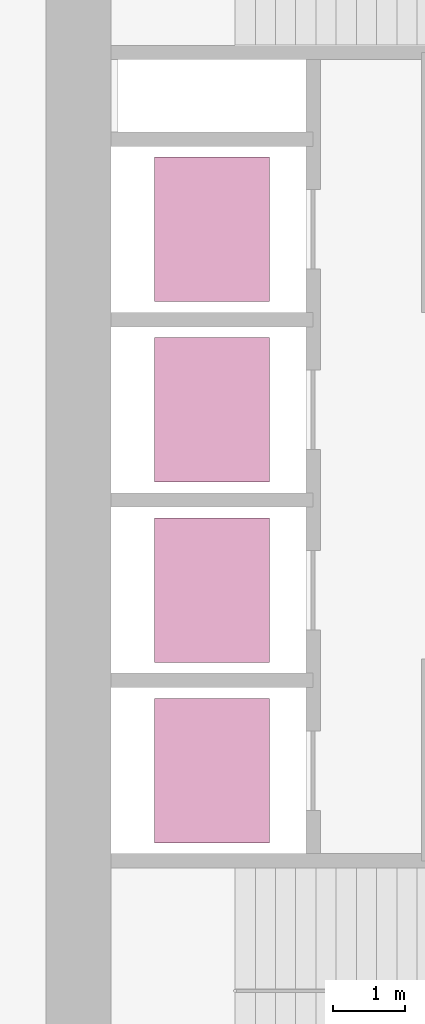
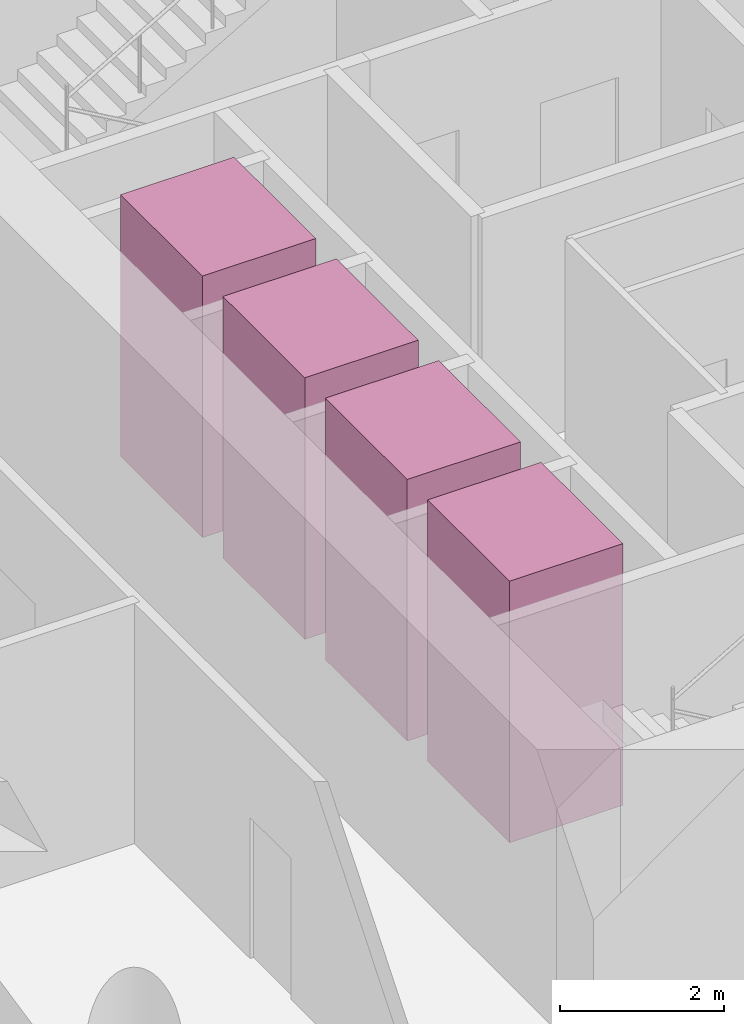
# One storey, part 10 of 10: 4 transport elements.
"""IFC4 building model written with IfcOpenShell, lengths in metres."""

import ifcopenshell
import ifcopenshell.guid

model = None  # the IFC model being written
_history = None  # IfcOwnerHistory: only IFC2X3 demands one
_inside = {}  # id of a spatial element -> (the spatial element, [elements in it])
_under = {}  # id of a project, library or spatial element -> (it, [spatial elements below it])
_declared = {}  # id of a project -> (the project, [libraries it declares])
_typed = {}  # id of a type object -> (the type object, [elements of that type])
_made_of = {}  # id of a material, layer set ... -> (it, [elements and type objects made of it])


def new_model(schema):
    """Start an empty IFC model of exactly this schema.

    Asked for "IFC4X3", IfcOpenShell would pick the latest addendum, in which some entities
    have other attributes; the version numbers below select the first issue.
    IFC2X3 requires an IfcOwnerHistory on every rooted entity: one is made here for all.
    """
    global model, _history
    if schema == "IFC4X3":
        model = ifcopenshell.file(schema_version=(4, 3, 0, 0))
    else:
        model = ifcopenshell.file(schema=schema)
    _inside.clear()
    _under.clear()
    _declared.clear()
    _typed.clear()
    _made_of.clear()
    _history = None
    if model.schema == "IFC2X3":
        org = make("IfcOrganization", Name="unknown")
        user = make(
            "IfcPersonAndOrganization",
            ThePerson=make("IfcPerson", FamilyName="unknown"),
            TheOrganization=org,
        )
        app = make(
            "IfcApplication",
            ApplicationDeveloper=org,
            Version="unknown",
            ApplicationFullName="unknown",
            ApplicationIdentifier="unknown",
        )
        _history = make(
            "IfcOwnerHistory",
            OwningUser=user,
            OwningApplication=app,
            ChangeAction="ADDED",
            CreationDate=0,
        )
    return model


def make(cls, **values):
    """One entity of the class cls with the attributes given. An attribute that is None is left unset."""
    return model.create_entity(
        cls, **{name: value for name, value in values.items() if value is not None}
    )


def rooted(cls, **values):
    """An entity with a GlobalId (a new one), such as an element, a storey or a relation."""
    return make(cls, GlobalId=ifcopenshell.guid.new(), OwnerHistory=_history, **values)


def si_unit(unit_type, name, prefix=None):
    """IfcSIUnit, for example si_unit("LENGTHUNIT", "METRE", prefix="MILLI")."""
    return make("IfcSIUnit", UnitType=unit_type, Prefix=prefix, Name=name)


def assignment(units):
    """IfcUnitAssignment: the units of a project."""
    return None if units is None else make("IfcUnitAssignment", Units=units)


def point(xyz):
    """IfcCartesianPoint."""
    return None if xyz is None else make("IfcCartesianPoint", Coordinates=xyz)


def direction(xyz):
    """IfcDirection."""
    return None if xyz is None else make("IfcDirection", DirectionRatios=xyz)


def frame(location, z_axis=None, x_axis=None):
    """IfcAxis2Placement3D, a coordinate frame: its origin and axes. An axis left out is left unset."""
    return make(
        "IfcAxis2Placement3D",
        Location=point(location),
        Axis=direction(z_axis),
        RefDirection=direction(x_axis),
    )


def frame_2d(location, x_axis=None):
    """IfcAxis2Placement2D, a coordinate frame in the plane: its origin and x axis."""
    return make(
        "IfcAxis2Placement2D", Location=point(location), RefDirection=direction(x_axis)
    )


def origin():
    """The frame at (0, 0, 0) with its axes left unset."""
    return frame((0.0, 0.0, 0.0))


def origin_2d():
    """The frame at (0, 0) in the plane with its x axis left unset."""
    return frame_2d((0.0, 0.0))


def place(relative_to, where):
    """IfcLocalPlacement: puts the frame where relative to a parent placement (None: the world)."""
    return make(
        "IfcLocalPlacement", PlacementRelTo=relative_to, RelativePlacement=where
    )


def context(
    kind, dimensions, precision=None, world=None, true_north=None, identifier=None
):
    """IfcGeometricRepresentationContext, for example the 3D "Model" context."""
    return make(
        "IfcGeometricRepresentationContext",
        ContextIdentifier=identifier,
        ContextType=kind,
        CoordinateSpaceDimension=dimensions,
        Precision=precision,
        WorldCoordinateSystem=world,
        TrueNorth=true_north,
    )


def subcontext(parent, identifier, kind, view, scale=None):
    """IfcGeometricRepresentationSubContext, for example "Body" below "Model"."""
    return make(
        "IfcGeometricRepresentationSubContext",
        ContextIdentifier=identifier,
        ContextType=kind,
        ParentContext=parent,
        TargetScale=scale,
        TargetView=view,
    )


def project(units=None, contexts=None):
    """IfcProject with its units and contexts."""
    return rooted(
        "IfcProject",
        Name="project",
        RepresentationContexts=contexts,
        UnitsInContext=assignment(units),
    )


def spatial(cls, under=None, at=None, **own):
    """A site, building, storey or space (cls), placed at a placement, below another one or the project."""
    s = rooted(cls, ObjectPlacement=at, **own)
    if under is not None:
        _under.setdefault(under.id(), (under, []))[1].append(s)
    return s


def profile(cls, at=None, kind="AREA", **sizes):
    """A parametric profile (cls). Its sizes go by their IFC names, for example OverallWidth=200.0."""
    return make(cls, ProfileType=kind, Position=at, **sizes)


def rectangle(**sizes):
    """IfcRectangleProfileDef."""
    return profile("IfcRectangleProfileDef", **sizes)


def extrude(swept, where, along, depth):
    """IfcExtrudedAreaSolid: the profile swept, set in the frame where, extruded along a direction by depth."""
    return make(
        "IfcExtrudedAreaSolid",
        SweptArea=swept,
        Position=where,
        ExtrudedDirection=direction(along),
        Depth=depth,
    )


def shape(context_of_items, identifier, shape_type, items):
    """IfcShapeRepresentation: the items that make up one representation, for example the "Body"."""
    return make(
        "IfcShapeRepresentation",
        ContextOfItems=context_of_items,
        RepresentationIdentifier=identifier,
        RepresentationType=shape_type,
        Items=items,
    )


def material(Name=None, Category=None):
    """IfcMaterial."""
    return make("IfcMaterial", Name=Name, Category=Category)


def made_of(thing, what):
    """Note that an element or type object is made of a material, layer set ...; save() writes the relation."""
    if what is not None:
        _made_of.setdefault(what.id(), (what, []))[1].append(thing)
    return thing


def type_object(cls, material=None, **own):
    """A type object (cls), such as IfcWallType, which elements share."""
    return made_of(rooted(cls, **own), material)


def element(
    cls,
    number,
    at=None,
    inside=None,
    cuts=None,
    type_object=None,
    material=None,
    context=None,
    identifier="Body",
    shape_type=None,
    held_by="IfcProductDefinitionShape",
    body=None,
    shapes=None,
    **own,
):
    """One element of the class cls, such as IfcWall. Its Tag is "e" and its number.

    at: its placement. inside: the storey or other place that contains it. cuts: it is an
    opening in that element (IfcRelVoidsElement). A single representation is given by context,
    identifier, shape_type and body (its items); several are given by shapes. held_by: the class
    of the entity that holds the representations. save() writes the other relations.
    """
    e = rooted(cls, Tag="e%d" % number, ObjectPlacement=at, **own)
    if body is not None:
        shapes = [shape(context, identifier, shape_type, body)]
    if shapes is not None:
        e.Representation = make(held_by, Representations=shapes)
    if inside is not None:
        _inside.setdefault(inside.id(), (inside, []))[1].append(e)
    if cuts is not None:
        rooted(
            "IfcRelVoidsElement", RelatingBuildingElement=cuts, RelatedOpeningElement=e
        )
    if type_object is not None:
        _typed.setdefault(type_object.id(), (type_object, []))[1].append(e)
    return made_of(e, material)


def aggregate(whole, parts):
    """IfcRelAggregates: a whole, such as a stair, and the parts it consists of."""
    return rooted("IfcRelAggregates", RelatingObject=whole, RelatedObjects=parts)


def save(model, path):
    """Write the relations noted so far, then the file.

    IfcRelAggregates (storeys below a building ...), IfcRelContainedInSpatialStructure (elements
    in a storey), IfcRelDefinesByType, IfcRelAssociatesMaterial and IfcRelDeclares: one each for
    every whole, place, type object, material and project.
    """
    for whole, parts in _under.values():
        aggregate(whole, parts)
    for where, things in _inside.values():
        rooted(
            "IfcRelContainedInSpatialStructure",
            RelatedElements=things,
            RelatingStructure=where,
        )
    for kind, things in _typed.values():
        rooted("IfcRelDefinesByType", RelatedObjects=things, RelatingType=kind)
    for what, things in _made_of.values():
        rooted("IfcRelAssociatesMaterial", RelatedObjects=things, RelatingMaterial=what)
    for by, libraries in _declared.values():
        rooted("IfcRelDeclares", RelatingContext=by, RelatedDefinitions=libraries)
    model.write(path)


model = new_model("IFC4")

# Units and contexts
model_context = context("Model", 3, precision=1e-05, world=origin(), true_north=direction((0.0, 1.0)))
body_context = subcontext(model_context, "Body", "Model", "MODEL_VIEW")
ifc_project = project(units=[si_unit("LENGTHUNIT", "METRE"), si_unit("AREAUNIT", "SQUARE_METRE"), si_unit("VOLUMEUNIT", "CUBIC_METRE"), si_unit("PLANEANGLEUNIT", "RADIAN"), si_unit("MASSUNIT", "GRAM", prefix="KILO")], contexts=[model_context])

# Site, building, storey
site_placement = place(None, origin())
site = spatial("IfcSite", under=ifc_project, at=site_placement, CompositionType="ELEMENT")
building_placement = place(site_placement, origin())
building = spatial("IfcBuilding", under=site, at=building_placement, Name="Qaws Garden Tower", CompositionType="ELEMENT")
storey_placement = place(building_placement, frame((0.0, 0.0, 93.89990234375)))
storey = spatial("IfcBuildingStorey", under=building, at=storey_placement, Name="L23", CompositionType="ELEMENT", Elevation=93.89990234375)

# Transport elements
ifc_material = material(Name="Stainless steel 316", Category="steel")
transport_element_type = type_object("IfcTransportElementType", Name="Passenger lift car 2000x1600 1800 kg", PredefinedType="ELEVATOR", material=ifc_material)
for number, where, z_axis, x_axis, name in (
    (1, (10.300048828125, 13.64990234375, 0.000244140625), (0.0, 0.0, 1.0), (1.0, 0.0, 0.0), "LR1"),
    (2, (10.300048828125, 16.14990234375, 0.000244140625), (0.0, 0.0, 1.0), (1.0, 0.0, 0.0), "LR2"),
    (3, (10.300048828125, 18.64990234375, 0.000244140625), (0.0, 0.0, 1.0), (1.0, 0.0, 0.0), "LR3"),
    (4, (10.300048828125, 21.14990234375, 0.000244140625), (0.0, 0.0, 1.0), (1.0, 0.0, 0.0), "LR4"),
):
    element("IfcTransportElement", number, at=place(storey_placement, frame(where, z_axis=z_axis, x_axis=x_axis)), inside=storey, type_object=transport_element_type, Name=name, PredefinedType="ELEVATOR", context=body_context, shape_type="SweptSolid", body=[
        extrude(rectangle(XDim=1.60009765625, YDim=2.0, at=origin_2d()), origin(), (0.0, 0.0, 1.0), 3.89990234375),
    ])

save(model, "model.ifc")
